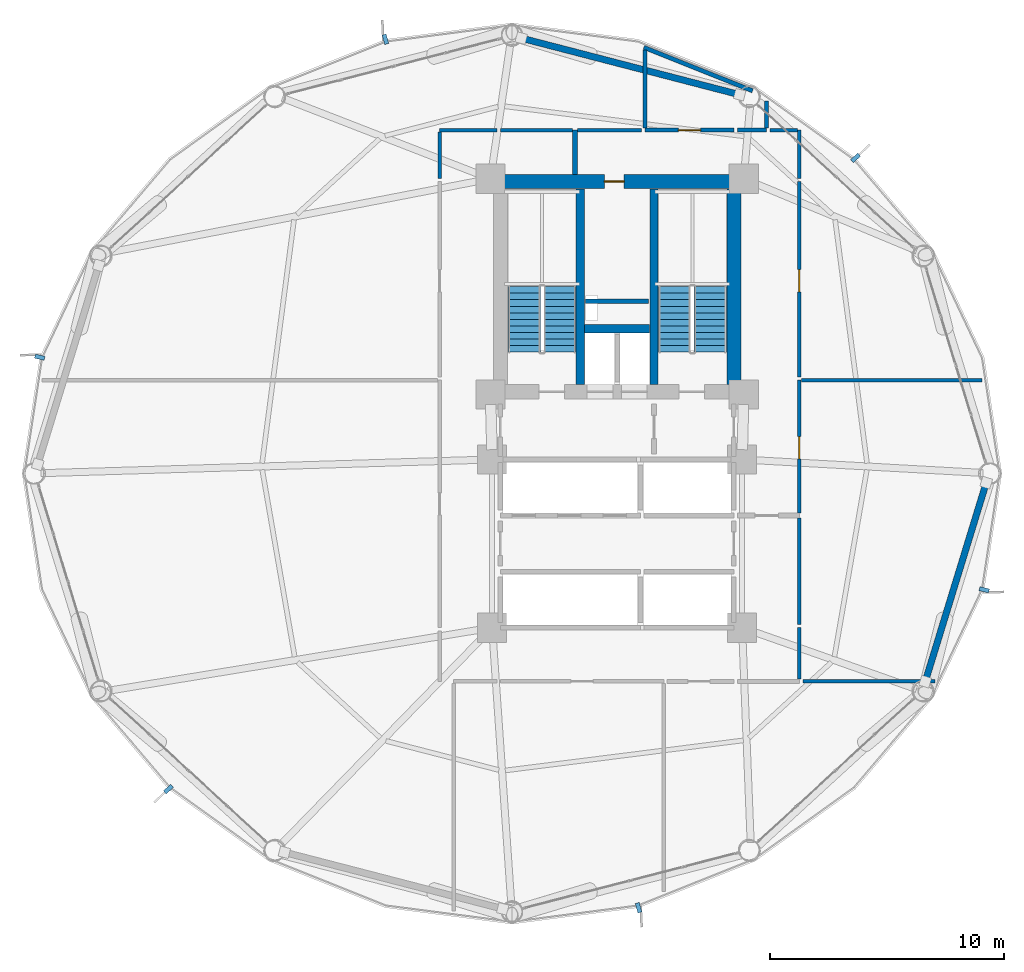
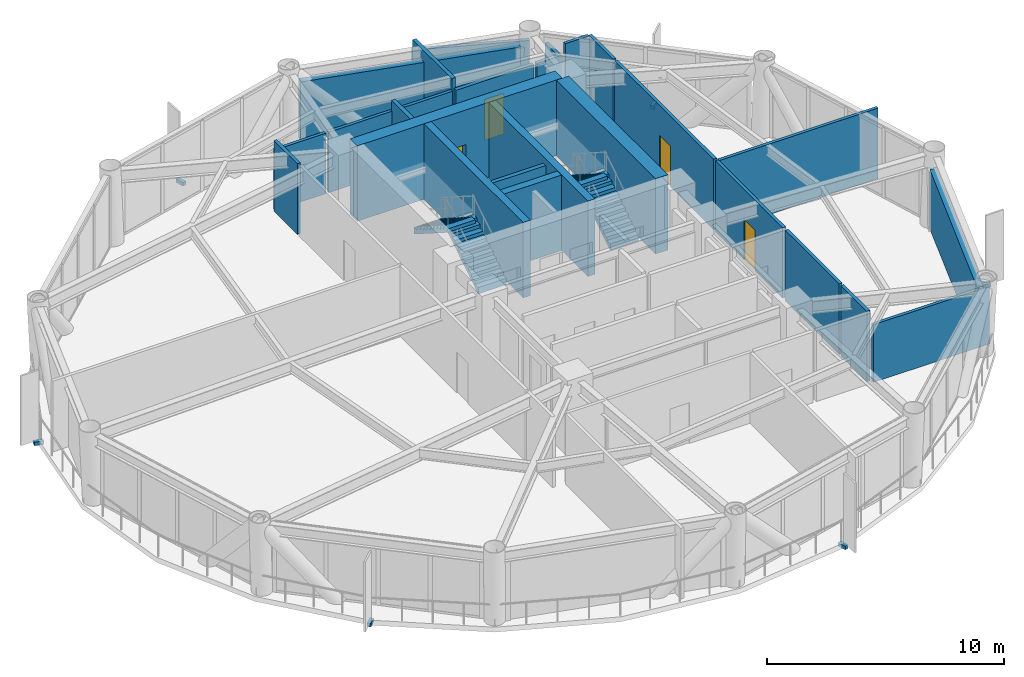
# One storey, part 22 of 25: 26 walls, 6 discrete accessories, 4 doors, 4 stair flights, 4 openings, 2 elements without a shape of their own.
"""IFC4 building model written with IfcOpenShell, lengths in metres."""

from ifc_helpers import new_model, si_unit, direction, frame, frame_2d, origin, origin_2d, place, context, subcontext, project, spatial, polyline, rectangle, outline, extrude, source, transform, mapped, material, layer, layer_set, type_object, type_shapes, element, fill, aggregate, save


model = new_model("IFC4")

# Units and contexts
model_context = context("Model", 3, precision=1e-05, world=origin(), true_north=direction((0.0, 1.0)))
body_context = subcontext(model_context, "Body", "Model", "MODEL_VIEW")
ifc_project = project(units=[si_unit("LENGTHUNIT", "METRE"), si_unit("AREAUNIT", "SQUARE_METRE"), si_unit("VOLUMEUNIT", "CUBIC_METRE"), si_unit("PLANEANGLEUNIT", "RADIAN"), si_unit("MASSUNIT", "GRAM", prefix="KILO")], contexts=[model_context])

# Site, building, storey
site_placement = place(None, origin())
site = spatial("IfcSite", under=ifc_project, at=site_placement, CompositionType="ELEMENT")
building_placement = place(site_placement, origin())
building = spatial("IfcBuilding", under=site, at=building_placement, Name="Varnakorn Sky Granary", CompositionType="ELEMENT")
storey_placement = place(building_placement, frame((0.0, 0.0, 35.39990234375)))
storey = spatial("IfcBuildingStorey", under=building, at=storey_placement, Name="L08", CompositionType="ELEMENT", Elevation=35.39990234375)

# Walls
ifc_material_1 = material(Name="Concrete C50/60", Category="concrete")
ifc_layer_1 = layer(ifc_material_1, 0.35009765625, Name="Concrete C50/60")
ifc_layer_set_1 = layer_set([ifc_layer_1], Name="Concrete C50/60")
wall_type_1 = type_object("IfcWallType", Name="WT-CW-INT-350", PredefinedType="SHEAR", material=ifc_layer_set_1)
for number, where, z_axis, x_axis, name in (
    (1, (1.419921875, 3.81005859375, 0.0), (0.0, 0.0, 1.0), (0.0, 1.0, 0.0), "Stair ST-1 Core Wall L08"),
    (2, (4.580078125, 3.81005859375, 0.0), (0.0, 0.0, 1.0), (0.0, 1.0, 0.0), "Stair ST-2 Core Wall L08"),
):
    element("IfcWall", number, at=place(storey_placement, frame(where, z_axis=z_axis, x_axis=x_axis)), inside=storey, type_object=wall_type_1, Name=name, PredefinedType="SHEAR", context=body_context, shape_type="SweptSolid", body=[
        extrude(rectangle(XDim=8.3798828125, YDim=0.35009765625, at=frame_2d((4.18994140625, 0.0))), origin(), (0.0, 0.0, 1.0), 3.89208984375),
    ])
wall_1_placement = place(storey_placement, frame((1.610107421875, 6.199951171875, 0.0), z_axis=(0.0, 0.0, 1.0), x_axis=(1.0, 0.0, 0.0)))
element("IfcWall", 3, at=wall_1_placement, inside=storey, type_object=wall_type_1, Name="Core Lift Shaft Cross Wall L08", PredefinedType="SHEAR", context=body_context, shape_type="SweptSolid", body=[
    extrude(rectangle(XDim=2.77978515625, YDim=0.35009765625, at=frame_2d((1.389892578125, 0.0))), origin(), (0.0, 0.0, 1.0), 3.89208984375),
])

# Wall, opening, door
ifc_material_2 = material(Name="Concrete C60/75", Category="concrete")
ifc_layer_2 = layer(ifc_material_2, 0.60009765625, Name="Concrete C60/75")
ifc_layer_set_2 = layer_set([ifc_layer_2], Name="Concrete C60/75")
wall_type_2 = type_object("IfcWallType", Name="WT-CW-SHEAR-600", PredefinedType="SHEAR", material=ifc_layer_set_2)
wall_2_placement = place(storey_placement, frame((-2.0, 12.5, 0.0), z_axis=(0.0, 0.0, 1.0), x_axis=(1.0, 0.0, 0.0)))
wall_2 = element("IfcWall", 4, at=wall_2_placement, inside=storey, type_object=wall_type_2, Name="Core North Shear Wall L08", PredefinedType="SHEAR", context=body_context, shape_type="SweptSolid", body=[
    extrude(rectangle(XDim=10.0, YDim=0.60009765625, at=frame_2d((5.0, 0.0))), origin(), (0.0, 0.0, 1.0), 3.89208984375),
])
opening_1_placement = place(wall_2_placement, frame((4.449951171875, 0.0, 0.0)))
opening_1 = element("IfcOpeningElement", 5, at=opening_1_placement, cuts=wall_2, Name="Opening FD-60N", PredefinedType="OPENING", context=body_context, shape_type="SweptSolid", body=[
    extrude(rectangle(XDim=0.85009765625, YDim=2.10009765625, at=frame_2d((0.425048828125, 1.050048828125))), frame((0.0, 0.31005859375, 0.0), z_axis=(0.0, -1.0, 0.0), x_axis=(1.0, 0.0, 0.0)), (0.0, 0.0, 1.0), 0.6201171875),
])
ifc_material_3 = material(Name="Acoustic Timber Fire Leaf", Category="wood")
door_type_1 = type_object("IfcDoorType", Name="DR-FD60-850", OperationType="NOTDEFINED", PredefinedType="DOOR", material=ifc_material_3)
door_1_placement = place(opening_1_placement, origin())
door_1 = element("IfcDoor", 6, at=door_1_placement, inside=storey, type_object=door_type_1, Name="Core North Service Door L08", OperationType="SINGLE_SWING_RIGHT", OverallHeight=2.10009765625, OverallWidth=0.85009765625, PredefinedType="DOOR", context=body_context, shape_type="SweptSolid", body=[
    extrude(rectangle(XDim=0.85009765625, YDim=2.10009765625, at=frame_2d((0.425048828125, 1.050048828125))), frame((0.0, 0.02490234375, 0.0), z_axis=(0.0, -1.0, 0.0), x_axis=(1.0, 0.0, 0.0)), (0.0, 0.0, 1.0), 0.050048828125),
])
fill(opening_1, door_1)

# Walls
wall_3_placement = place(storey_placement, frame((8.0, 3.81005859375, 0.0), z_axis=(0.0, 0.0, 1.0), x_axis=(0.0, 1.0, 0.0)))
element("IfcWall", 7, at=wall_3_placement, inside=storey, type_object=wall_type_2, Name="Core East Shear Wall L08", PredefinedType="SHEAR", context=body_context, shape_type="SweptSolid", body=[
    extrude(rectangle(XDim=8.3798828125, YDim=0.60009765625, at=frame_2d((4.18994140625, 0.0))), origin(), (0.0, 0.0, 1.0), 3.89208984375),
])
ifc_material_4 = material(Name="Precast concrete C40/50", Category="concrete")
ifc_layer_3 = layer(ifc_material_4, 0.280029296875, Name="Precast concrete C40/50")
ifc_layer_set_3 = layer_set([ifc_layer_3], Name="Precast concrete C40/50")
wall_type_3 = type_object("IfcWallType", Name="WT-EW-CRN-280", PredefinedType="SOLIDWALL", material=ifc_layer_set_3)
wall_4_placement = place(storey_placement, frame((-1.101318359375, 18.6376953125, 0.0), z_axis=(0.0, 0.0, 1.0), x_axis=(0.968050566809, -0.250755059972, 0.0)))
element("IfcWall", 8, at=wall_4_placement, inside=storey, type_object=wall_type_3, Name="Agritech Insulated Precast Facade Wall L08-P03", PredefinedType="SOLIDWALL", context=body_context, shape_type="SweptSolid", body=[
    extrude(rectangle(XDim=9.655517578125, YDim=0.280029296875, at=frame_2d((4.82763671875, 0.0))), origin(), (0.0, 0.0, 1.0), 3.06005859375),
])
wall_5_placement = place(storey_placement, frame((18.80322265625, -0.393798828125, 0.0), z_axis=(0.0, 0.0, 1.0), x_axis=(-0.293209332381, -0.956048266253, 0.0)))
element("IfcWall", 9, at=wall_5_placement, inside=storey, type_object=wall_type_3, Name="Agritech Insulated Precast Facade Wall L08-P12", PredefinedType="SOLIDWALL", context=body_context, shape_type="SweptSolid", body=[
    extrude(rectangle(XDim=8.90673828125, YDim=0.280029296875, at=frame_2d((4.453369140625, 0.0))), origin(), (0.0, 0.0, 1.0), 3.06005859375),
])
ifc_material_5 = material(Name="Autoclaved Aerated Concrete Blockwork", Category="masonry")
ifc_layer_4 = layer(ifc_material_5, 0.199951171875, Name="Autoclaved Aerated Concrete Blockwork")
ifc_layer_set_4 = layer_set([ifc_layer_4], Name="Autoclaved Aerated Concrete Blockwork")
wall_type_4 = type_object("IfcWallType", Name="WT-FIRE-200", PredefinedType="MOVABLE", material=ifc_layer_set_4)
wall_6_placement = place(storey_placement, frame((1.199951171875, 14.699951171875, 0.0), z_axis=(0.0, 0.0, 1.0), x_axis=(0.0, -1.0, 0.0)))
element("IfcWall", 10, at=wall_6_placement, inside=storey, type_object=wall_type_4, Name="Interior Partition Wall L08-030", PredefinedType="MOVABLE", context=body_context, shape_type="SweptSolid", body=[
    extrude(rectangle(XDim=1.889892578125, YDim=0.199951171875, at=frame_2d((0.94482421875, 0.0))), origin(), (0.0, 0.0, 1.0), 3.64013671875),
])

# Wall, opening, door
ifc_material_6 = material(Name="Gypsum Plasterboard on Steel Stud", Category="steel")
ifc_layer_5 = layer(ifc_material_6, 0.14990234375, Name="Gypsum Plasterboard on Steel Stud")
ifc_layer_set_5 = layer_set([ifc_layer_5], Name="Gypsum Plasterboard on Steel Stud")
wall_type_5 = type_object("IfcWallType", Name="WT-PART-150", PredefinedType="PARTITIONING", material=ifc_layer_set_5)
wall_7_placement = place(storey_placement, frame((10.800048828125, -1.68994140625, 0.0), z_axis=(0.0, 0.0, 1.0), x_axis=(0.0, 1.0, 0.0)))
wall_7 = element("IfcWall", 11, at=wall_7_placement, inside=storey, type_object=wall_type_5, Name="Interior Partition Wall L08-026", PredefinedType="PARTITIONING", context=body_context, shape_type="SweptSolid", body=[
    extrude(rectangle(XDim=5.68994140625, YDim=0.14990234375, at=frame_2d((2.844970703125, 0.0))), origin(), (0.0, 0.0, 1.0), 3.64013671875),
])
opening_2_placement = place(wall_7_placement, frame((2.31494140625, 0.0, 0.0)))
opening_2 = element("IfcOpeningElement", 12, at=opening_2_placement, cuts=wall_7, Name="Opening ID-95", PredefinedType="OPENING", context=body_context, shape_type="SweptSolid", body=[
    extrude(rectangle(XDim=0.949951171875, YDim=2.10009765625, at=frame_2d((0.47509765625, 1.050048828125))), frame((0.0, 0.0849609375, 0.0), z_axis=(0.0, -1.0, 0.0), x_axis=(1.0, 0.0, 0.0)), (0.0, 0.0, 1.0), 0.169921875),
])
ifc_material_7 = material(Name="Solid-Core Teak Veneer Leaf", Category="timber")
door_type_2 = type_object("IfcDoorType", Name="DR-INT-950", OperationType="NOTDEFINED", PredefinedType="DOOR", material=ifc_material_7)
door_2_placement = place(opening_2_placement, origin())
door_2 = element("IfcDoor", 13, at=door_2_placement, inside=storey, type_object=door_type_2, Name="Interior Door L08-026-1", OperationType="SINGLE_SWING_LEFT", OverallHeight=2.10009765625, OverallWidth=0.949951171875, PredefinedType="DOOR", context=body_context, shape_type="SweptSolid", body=[
    extrude(rectangle(XDim=0.949951171875, YDim=2.10009765625, at=frame_2d((0.47509765625, 1.050048828125))), frame((0.0, 0.02490234375, 0.0), z_axis=(0.0, -1.0, 0.0), x_axis=(1.0, 0.0, 0.0)), (0.0, 0.0, 1.0), 0.050048828125),
])
fill(opening_2, door_2)

wall_8_placement = place(storey_placement, frame((10.800048828125, 4.135009765625, 0.0), z_axis=(0.0, 0.0, 1.0), x_axis=(0.0, 1.0, 0.0)))
wall_8 = element("IfcWall", 14, at=wall_8_placement, inside=storey, type_object=wall_type_5, Name="Interior Partition Wall L08-028", PredefinedType="PARTITIONING", context=body_context, shape_type="SweptSolid", body=[
    extrude(rectangle(XDim=8.364990234375, YDim=0.14990234375, at=frame_2d((4.1826171875, 0.0))), origin(), (0.0, 0.0, 1.0), 3.64013671875),
])
opening_3_placement = place(wall_8_placement, frame((3.639892578125, 0.0, 0.0)))
opening_3 = element("IfcOpeningElement", 15, at=opening_3_placement, cuts=wall_8, Name="Opening ID-95", PredefinedType="OPENING", context=body_context, shape_type="SweptSolid", body=[
    extrude(rectangle(XDim=0.949951171875, YDim=2.10009765625, at=frame_2d((0.47509765625, 1.050048828125))), frame((0.0, 0.0849609375, 0.0), z_axis=(0.0, -1.0, 0.0), x_axis=(1.0, 0.0, 0.0)), (0.0, 0.0, 1.0), 0.169921875),
])
door_3_placement = place(opening_3_placement, origin())
door_3 = element("IfcDoor", 16, at=door_3_placement, inside=storey, type_object=door_type_2, Name="Interior Door L08-028-1", OperationType="SINGLE_SWING_LEFT", OverallHeight=2.10009765625, OverallWidth=0.949951171875, PredefinedType="DOOR", context=body_context, shape_type="SweptSolid", body=[
    extrude(rectangle(XDim=0.949951171875, YDim=2.10009765625, at=frame_2d((0.47509765625, 1.050048828125))), frame((0.0, 0.02490234375, 0.0), z_axis=(0.0, -1.0, 0.0), x_axis=(1.0, 0.0, 0.0)), (0.0, 0.0, 1.0), 0.050048828125),
])
fill(opening_3, door_3)

# Walls
wall_9_placement = place(storey_placement, frame((10.949951171875, -8.89990234375, 0.0), z_axis=(0.0, 0.0, 1.0), x_axis=(1.0, 0.0, 0.0)))
element("IfcWall", 17, at=wall_9_placement, inside=storey, type_object=wall_type_5, Name="Interior Partition Wall L08-036", PredefinedType="PARTITIONING", context=body_context, shape_type="SweptSolid", body=[
    extrude(rectangle(XDim=5.653076171875, YDim=0.14990234375, at=frame_2d((2.82666015625, 0.0))), origin(), (0.0, 0.0, 1.0), 2.97216796875),
])
wall_10_placement = place(storey_placement, frame((10.800048828125, -8.800048828125, 0.0), z_axis=(0.0, 0.0, 1.0), x_axis=(0.0, 1.0, 0.0)))
element("IfcWall", 18, at=wall_10_placement, inside=storey, type_object=wall_type_5, Name="Interior Partition Wall L08-039", PredefinedType="PARTITIONING", context=body_context, shape_type="SweptSolid", body=[
    extrude(rectangle(XDim=2.199951171875, YDim=0.14990234375, at=frame_2d((1.10009765625, 0.0))), origin(), (0.0, 0.0, 1.0), 3.64013671875),
])
wall_11_placement = place(storey_placement, frame((10.800048828125, -6.465087890625, 0.0), z_axis=(0.0, 0.0, 1.0), x_axis=(0.0, 1.0, 0.0)))
element("IfcWall", 19, at=wall_11_placement, inside=storey, type_object=wall_type_5, Name="Interior Partition Wall L08-040", PredefinedType="PARTITIONING", context=body_context, shape_type="SweptSolid", body=[
    extrude(rectangle(XDim=4.55517578125, YDim=0.14990234375, at=frame_2d((2.277587890625, 0.0))), origin(), (0.0, 0.0, 1.0), 3.64013671875),
])
wall_12_placement = place(storey_placement, frame((10.885009765625, 4.0, 0.0), z_axis=(0.0, 0.0, 1.0), x_axis=(1.0, 0.0, 0.0)))
element("IfcWall", 20, at=wall_12_placement, inside=storey, type_object=wall_type_5, Name="Interior Partition Wall L08-041", PredefinedType="PARTITIONING", context=body_context, shape_type="SweptSolid", body=[
    extrude(rectangle(XDim=7.739013671875, YDim=0.14990234375, at=frame_2d((3.86962890625, 0.0))), origin(), (0.0, 0.0, 1.0), 3.64013671875),
])
wall_13_placement = place(storey_placement, frame((1.090087890625, 14.699951171875, 0.0), z_axis=(0.0, 0.0, 1.0), x_axis=(-1.0, 0.0, 0.0)))
element("IfcWall", 21, at=wall_13_placement, inside=storey, type_object=wall_type_5, Name="Interior Partition Wall L08-042", PredefinedType="PARTITIONING", context=body_context, shape_type="SweptSolid", body=[
    extrude(rectangle(XDim=3.090087890625, YDim=0.14990234375, at=frame_2d((1.544921875, 0.0))), origin(), (0.0, 0.0, 1.0), 3.1220703125),
])
wall_14_placement = place(storey_placement, frame((-2.135009765625, 14.699951171875, 0.0), z_axis=(0.0, 0.0, 1.0), x_axis=(-1.0, 0.0, 0.0)))
element("IfcWall", 22, at=wall_14_placement, inside=storey, type_object=wall_type_5, Name="Interior Partition Wall L08-043", PredefinedType="PARTITIONING", context=body_context, shape_type="SweptSolid", body=[
    extrude(rectangle(XDim=2.465087890625, YDim=0.14990234375, at=frame_2d((1.232421875, 0.0))), origin(), (0.0, 0.0, 1.0), 3.1220703125),
])
wall_15_placement = place(storey_placement, frame((-4.60009765625, 14.614990234375, 0.0), z_axis=(0.0, 0.0, 1.0), x_axis=(0.0, -1.0, 0.0)))
element("IfcWall", 23, at=wall_15_placement, inside=storey, type_object=wall_type_5, Name="Interior Partition Wall L08-044", PredefinedType="PARTITIONING", context=body_context, shape_type="SweptSolid", body=[
    extrude(rectangle(XDim=1.97998046875, YDim=0.14990234375, at=frame_2d((0.989990234375, 0.0))), origin(), (0.0, 0.0, 1.0), 3.64013671875),
])
wall_16_placement = place(storey_placement, frame((4.050048828125, 14.699951171875, 0.0), z_axis=(0.0, 0.0, 1.0), x_axis=(-1.0, 0.0, 0.0)))
element("IfcWall", 24, at=wall_16_placement, inside=storey, type_object=wall_type_5, Name="Interior Partition Wall L08-045", PredefinedType="PARTITIONING", context=body_context, shape_type="SweptSolid", body=[
    extrude(rectangle(XDim=2.739990234375, YDim=0.14990234375, at=frame_2d((1.3701171875, 0.0))), origin(), (0.0, 0.0, 1.0), 3.1220703125),
])
wall_17_placement = place(storey_placement, frame((10.800048828125, 12.635009765625, 0.0), z_axis=(0.0, 0.0, 1.0), x_axis=(0.0, 1.0, 0.0)))
element("IfcWall", 25, at=wall_17_placement, inside=storey, type_object=wall_type_5, Name="Interior Partition Wall L08-048", PredefinedType="PARTITIONING", context=body_context, shape_type="SweptSolid", body=[
    extrude(rectangle(XDim=2.06494140625, YDim=0.14990234375, at=frame_2d((1.032470703125, 0.0))), origin(), (0.0, 0.0, 1.0), 3.64013671875),
])
wall_18_placement = place(storey_placement, frame((10.715087890625, 14.699951171875, 0.0), z_axis=(0.0, 0.0, 1.0), x_axis=(-1.0, 0.0, 0.0)))
element("IfcWall", 26, at=wall_18_placement, inside=storey, type_object=wall_type_5, Name="Interior Partition Wall L08-049", PredefinedType="PARTITIONING", context=body_context, shape_type="SweptSolid", body=[
    extrude(rectangle(XDim=1.1650390625, YDim=0.14990234375, at=frame_2d((0.58251953125, 0.0))), origin(), (0.0, 0.0, 1.0), 3.64013671875),
])

# Wall, opening, door
ifc_material_8 = material(Name="Moisture-Resistant Gypsum on Stud", Category="gypsum")
ifc_layer_6 = layer(ifc_material_8, 0.179931640625, Name="Moisture-Resistant Gypsum on Stud")
ifc_layer_set_6 = layer_set([ifc_layer_6], Name="Moisture-Resistant Gypsum on Stud")
wall_type_6 = type_object("IfcWallType", Name="WT-PLUMB-180", PredefinedType="PLUMBINGWALL", material=ifc_layer_set_6)
wall_19_placement = place(storey_placement, frame((8.0, 14.699951171875, 0.0), z_axis=(0.0, 0.0, 1.0), x_axis=(-1.0, 0.0, 0.0)))
wall_19 = element("IfcWall", 27, at=wall_19_placement, inside=storey, type_object=wall_type_6, Name="Interior Partition Wall L08-022", PredefinedType="PLUMBINGWALL", context=body_context, shape_type="SweptSolid", body=[
    extrude(rectangle(XDim=3.800048828125, YDim=0.179931640625, at=frame_2d((1.89990234375, 0.0))), origin(), (0.0, 0.0, 1.0), 3.1220703125),
])
opening_4_placement = place(wall_19_placement, frame((1.425048828125, 0.0, 0.0)))
opening_4 = element("IfcOpeningElement", 28, at=opening_4_placement, cuts=wall_19, Name="Opening ID-95", PredefinedType="OPENING", context=body_context, shape_type="SweptSolid", body=[
    extrude(rectangle(XDim=0.949951171875, YDim=2.10009765625, at=frame_2d((0.47509765625, 1.050048828125))), frame((0.0, 0.10009765625, 0.0), z_axis=(0.0, -1.0, 0.0), x_axis=(1.0, 0.0, 0.0)), (0.0, 0.0, 1.0), 0.199951171875),
])
door_4_placement = place(opening_4_placement, origin())
door_4 = element("IfcDoor", 29, at=door_4_placement, inside=storey, type_object=door_type_2, Name="Interior Door L08-022-1", OperationType="SINGLE_SWING_LEFT", OverallHeight=2.10009765625, OverallWidth=0.949951171875, PredefinedType="DOOR", context=body_context, shape_type="SweptSolid", body=[
    extrude(rectangle(XDim=0.949951171875, YDim=2.10009765625, at=frame_2d((0.47509765625, 1.050048828125))), frame((0.0, 0.02490234375, 0.0), z_axis=(0.0, -1.0, 0.0), x_axis=(1.0, 0.0, 0.0)), (0.0, 0.0, 1.0), 0.050048828125),
])
fill(opening_4, door_4)

# Walls
wall_20_placement = place(storey_placement, frame((9.39990234375, 14.699951171875, 0.0), z_axis=(0.0, 0.0, 1.0), x_axis=(-1.0, 0.0, 0.0)))
element("IfcWall", 30, at=wall_20_placement, inside=storey, type_object=wall_type_6, Name="Interior Partition Wall L08-031", PredefinedType="PLUMBINGWALL", context=body_context, shape_type="SweptSolid", body=[
    extrude(rectangle(XDim=1.25, YDim=0.179931640625, at=frame_2d((0.625, 0.0))), origin(), (0.0, 0.0, 1.0), 3.1220703125),
])
wall_21_placement = place(storey_placement, frame((4.14404296875, 18.242919921875, 0.0), z_axis=(0.0, 0.0, 1.0), x_axis=(0.928584107796, -0.371122021374, 0.0)))
element("IfcWall", 31, at=wall_21_placement, inside=storey, type_object=wall_type_6, Name="Interior Partition Wall L08-046", PredefinedType="PLUMBINGWALL", context=body_context, shape_type="SweptSolid", body=[
    extrude(rectangle(XDim=5.01416015625, YDim=0.179931640625, at=frame_2d((2.507080078125, 0.0))), origin(), (0.0, 0.0, 1.0), 3.072021484375),
])
wall_22_placement = place(storey_placement, frame((4.199951171875, 18.1201171875, 0.0), z_axis=(0.0, 0.0, 1.0), x_axis=(0.0, -1.0, 0.0)))
element("IfcWall", 32, at=wall_22_placement, inside=storey, type_object=wall_type_6, Name="Interior Partition Wall L08-047", PredefinedType="PLUMBINGWALL", context=body_context, shape_type="SweptSolid", body=[
    extrude(rectangle(XDim=3.320068359375, YDim=0.179931640625, at=frame_2d((1.66015625, 0.0))), origin(), (0.0, 0.0, 1.0), 3.64013671875),
])
wall_23_placement = place(storey_placement, frame((9.39990234375, 14.800048828125, 0.0), z_axis=(0.0, 0.0, 1.0), x_axis=(0.0, 1.0, 0.0)))
element("IfcWall", 33, at=wall_23_placement, inside=storey, type_object=wall_type_6, Name="Interior Partition Wall L08-050", PredefinedType="PLUMBINGWALL", context=body_context, shape_type="SweptSolid", body=[
    extrude(rectangle(XDim=1.15087890625, YDim=0.179931640625, at=frame_2d((0.575439453125, 0.0))), origin(), (0.0, 0.0, 1.0), 2.97216796875),
])
ifc_layer_7 = layer(ifc_material_5, 0.199951171875, Name="Autoclaved Aerated Concrete Blockwork")
ifc_layer_set_7 = layer_set([ifc_layer_7], Name="Autoclaved Aerated Concrete Blockwork")
wall_type_7 = type_object("IfcWallType", Name="WT-SHAFT-200", PredefinedType="SOLIDWALL", material=ifc_layer_set_7)
wall_24_placement = place(storey_placement, frame((1.64990234375, 7.3798828125, 0.0), z_axis=(0.0, 0.0, 1.0), x_axis=(1.0, 0.0, 0.0)))
element("IfcWall", 34, at=wall_24_placement, inside=storey, type_object=wall_type_7, Name="Interior Partition Wall L08-002", PredefinedType="SOLIDWALL", context=body_context, shape_type="SweptSolid", body=[
    extrude(rectangle(XDim=2.7001953125, YDim=0.199951171875, at=frame_2d((1.35009765625, 0.0))), origin(), (0.0, 0.0, 1.0), 3.64013671875),
])

# Stair, stair flights
ifc_material_9 = material(Name="Concrete C40/50", Category="concrete")
stair_type = type_object("IfcStairType", Name="ST-MAIN-ASSEMBLY", PredefinedType="HALF_TURN_STAIR", material=ifc_material_9)
stair_1_placement = place(storey_placement, origin())
stair_1 = element("IfcStair", 35, at=stair_1_placement, inside=storey, type_object=stair_type, Name="L08 Protected Exit Stair ST-1", PredefinedType="HALF_TURN_STAIR")
stair_flight_type = type_object("IfcStairFlightType", Name="ST-MAIN-FLIGHT", PredefinedType="STRAIGHT", material=ifc_material_9)
stair_flight_1_placement = place(storey_placement, frame((0.550048828125, 5.199951171875, 0.0), z_axis=(0.0, 0.0, 1.0), x_axis=(0.0, 1.0, 0.0)))
stair_flight_1 = element("IfcStairFlight", 36, at=stair_flight_1_placement, type_object=stair_flight_type, Name="ST-1 flight 1", NumberOfRisers=11, NumberOfTreads=10, PredefinedType="STRAIGHT", RiserHeight=0.177272727, TreadLength=0.28, context=body_context, shape_type="SweptSolid", body=[
    extrude(outline(polyline([(0.0, -0.14990234375), (0.0, 0.0), (0.0, 0.17724609375), (0.280029296875, 0.17724609375), (0.280029296875, 0.3544921875), (0.56005859375, 0.3544921875), (0.56005859375, 0.53173828125), (0.840087890625, 0.53173828125), (0.840087890625, 0.708984375), (1.1201171875, 0.708984375), (1.1201171875, 0.886474609375), (1.39990234375, 0.886474609375), (1.39990234375, 1.063720703125), (1.679931640625, 1.063720703125), (1.679931640625, 1.240966796875), (1.9599609375, 1.240966796875), (1.9599609375, 1.418212890625), (2.239990234375, 1.418212890625), (2.239990234375, 1.595458984375), (2.52001953125, 1.595458984375), (2.52001953125, 1.772705078125), (2.800048828125, 1.772705078125), (2.800048828125, 1.949951171875), (2.800048828125, 1.59521484375), (0.050048828125, -0.14990234375), (0.0, -0.14990234375)])), frame((0.0, 0.68994140625, 0.0), z_axis=(0.0, -1.0, 0.0), x_axis=(1.0, 0.0, 0.0)), (0.0, 0.0, 1.0), 1.3798828125),
])
stair_flight_2_placement = place(storey_placement, frame((-0.97998046875, 8.0, 1.9501953125), z_axis=(0.0, 0.0, 1.0), x_axis=(0.0, -1.0, 0.0)))
stair_flight_2 = element("IfcStairFlight", 37, at=stair_flight_2_placement, type_object=stair_flight_type, Name="ST-1 flight 2", NumberOfRisers=11, NumberOfTreads=10, PredefinedType="STRAIGHT", RiserHeight=0.177272727, TreadLength=0.28, context=body_context, shape_type="SweptSolid", body=[
    extrude(outline(polyline([(0.0, -0.14990234375), (0.0, 0.0), (0.0, 0.17724609375), (0.280029296875, 0.17724609375), (0.280029296875, 0.3544921875), (0.56005859375, 0.3544921875), (0.56005859375, 0.53173828125), (0.840087890625, 0.53173828125), (0.840087890625, 0.708984375), (1.1201171875, 0.708984375), (1.1201171875, 0.886474609375), (1.39990234375, 0.886474609375), (1.39990234375, 1.063720703125), (1.679931640625, 1.063720703125), (1.679931640625, 1.240966796875), (1.9599609375, 1.240966796875), (1.9599609375, 1.418212890625), (2.239990234375, 1.418212890625), (2.239990234375, 1.595458984375), (2.52001953125, 1.595458984375), (2.52001953125, 1.772705078125), (2.800048828125, 1.772705078125), (2.800048828125, 1.949951171875), (2.800048828125, 1.59521484375), (0.050048828125, -0.14990234375), (0.0, -0.14990234375)])), frame((0.0, 0.68994140625, 0.0), z_axis=(0.0, -1.0, 0.0), x_axis=(1.0, 0.0, 0.0)), (0.0, 0.0, 1.0), 1.3798828125),
])
aggregate(stair_1, [stair_flight_1, stair_flight_2])

stair_2_placement = place(storey_placement, origin())
stair_2 = element("IfcStair", 38, at=stair_2_placement, inside=storey, type_object=stair_type, Name="L08 Protected Exit Stair ST-2", PredefinedType="HALF_TURN_STAIR")
stair_flight_3_placement = place(storey_placement, frame((6.989990234375, 5.199951171875, 0.0), z_axis=(0.0, 0.0, 1.0), x_axis=(0.0, 1.0, 0.0)))
stair_flight_3 = element("IfcStairFlight", 39, at=stair_flight_3_placement, type_object=stair_flight_type, Name="ST-2 flight 1", NumberOfRisers=11, NumberOfTreads=10, PredefinedType="STRAIGHT", RiserHeight=0.177272727, TreadLength=0.28, context=body_context, shape_type="SweptSolid", body=[
    extrude(outline(polyline([(0.0, -0.14990234375), (0.0, 0.0), (0.0, 0.17724609375), (0.280029296875, 0.17724609375), (0.280029296875, 0.3544921875), (0.56005859375, 0.3544921875), (0.56005859375, 0.53173828125), (0.840087890625, 0.53173828125), (0.840087890625, 0.708984375), (1.1201171875, 0.708984375), (1.1201171875, 0.886474609375), (1.39990234375, 0.886474609375), (1.39990234375, 1.063720703125), (1.679931640625, 1.063720703125), (1.679931640625, 1.240966796875), (1.9599609375, 1.240966796875), (1.9599609375, 1.418212890625), (2.239990234375, 1.418212890625), (2.239990234375, 1.595458984375), (2.52001953125, 1.595458984375), (2.52001953125, 1.772705078125), (2.800048828125, 1.772705078125), (2.800048828125, 1.949951171875), (2.800048828125, 1.59521484375), (0.050048828125, -0.14990234375), (0.0, -0.14990234375)])), frame((0.0, 0.68994140625, 0.0), z_axis=(0.0, -1.0, 0.0), x_axis=(1.0, 0.0, 0.0)), (0.0, 0.0, 1.0), 1.3798828125),
])
stair_flight_4_placement = place(storey_placement, frame((5.4599609375, 8.0, 1.9501953125), z_axis=(0.0, 0.0, 1.0), x_axis=(0.0, -1.0, 0.0)))
stair_flight_4 = element("IfcStairFlight", 40, at=stair_flight_4_placement, type_object=stair_flight_type, Name="ST-2 flight 2", NumberOfRisers=11, NumberOfTreads=10, PredefinedType="STRAIGHT", RiserHeight=0.177272727, TreadLength=0.28, context=body_context, shape_type="SweptSolid", body=[
    extrude(outline(polyline([(0.0, -0.14990234375), (0.0, 0.0), (0.0, 0.17724609375), (0.280029296875, 0.17724609375), (0.280029296875, 0.3544921875), (0.56005859375, 0.3544921875), (0.56005859375, 0.53173828125), (0.840087890625, 0.53173828125), (0.840087890625, 0.708984375), (1.1201171875, 0.708984375), (1.1201171875, 0.886474609375), (1.39990234375, 0.886474609375), (1.39990234375, 1.063720703125), (1.679931640625, 1.063720703125), (1.679931640625, 1.240966796875), (1.9599609375, 1.240966796875), (1.9599609375, 1.418212890625), (2.239990234375, 1.418212890625), (2.239990234375, 1.595458984375), (2.52001953125, 1.595458984375), (2.52001953125, 1.772705078125), (2.800048828125, 1.772705078125), (2.800048828125, 1.949951171875), (2.800048828125, 1.59521484375), (0.050048828125, -0.14990234375), (0.0, -0.14990234375)])), frame((0.0, 0.68994140625, 0.0), z_axis=(0.0, -1.0, 0.0), x_axis=(1.0, 0.0, 0.0)), (0.0, 0.0, 1.0), 1.3798828125),
])
aggregate(stair_2, [stair_flight_3, stair_flight_4])

# Discrete accessories
ifc_material_10 = material(Name="Steel S355JR", Category="steel")
discrete_accessory_type = type_object("IfcDiscreteAccessoryType", Name="AC-BRK-01", PredefinedType="BRACKET", material=ifc_material_10)
shared_shape = source(origin(), body_context, "Body", "SweptSolid", [
    extrude(rectangle(XDim=0.179931640625, YDim=0.419921875, at=origin_2d()), origin(), (0.0, 0.0, 1.0), 0.179931640625),
])
type_shapes(discrete_accessory_type, [shared_shape])
for number, where, z_axis, x_axis, name in (
    (41, (13.20703125, 13.510009765625, -0.19970703125), (0.0, 0.0, 1.0), (-0.676496906626, 0.736445473423, 0.0), "Facade Solar-Screen Outrigger Bracket L08-02"),
    (42, (-6.91943359375, 18.589599609375, -0.19970703125), (0.0, 0.0, 1.0), (-0.960035437276, -0.279878472151, 0.0), "Facade Solar-Screen Outrigger Bracket L08-04"),
    (43, (-21.716552734375, 4.97900390625, -0.19970703125), (0.0, 0.0, 1.0), (-0.239133265765, -0.970986756452, 0.0), "Facade Solar-Screen Outrigger Bracket L08-06"),
    (44, (-16.20703125, -13.510009765625, -0.19970703125), (0.0, 0.0, 1.0), (0.676496906626, -0.736445473423, 0.0), "Facade Solar-Screen Outrigger Bracket L08-08"),
    (45, (3.91943359375, -18.589599609375, -0.19970703125), (0.0, 0.0, 1.0), (0.960035437276, 0.279878472151, 0.0), "Facade Solar-Screen Outrigger Bracket L08-10"),
    (46, (18.716552734375, -4.97900390625, -0.19970703125), (0.0, 0.0, 1.0), (0.239133265765, 0.970986756452, 0.0), "Facade Solar-Screen Outrigger Bracket L08-12"),
):
    element("IfcDiscreteAccessory", number, at=place(storey_placement, frame(where, z_axis=z_axis, x_axis=x_axis)), inside=storey, type_object=discrete_accessory_type, Name=name, PredefinedType="BRACKET", context=body_context, shape_type="MappedRepresentation", body=[
        mapped(shared_shape, transform((0.0, 0.0, 0.0), x_axis=(1.0, 0.0, 0.0), y_axis=(0.0, 1.0, 0.0), z_axis=(0.0, 0.0, 1.0), scale=1.0)),
    ])

save(model, "model.ifc")
